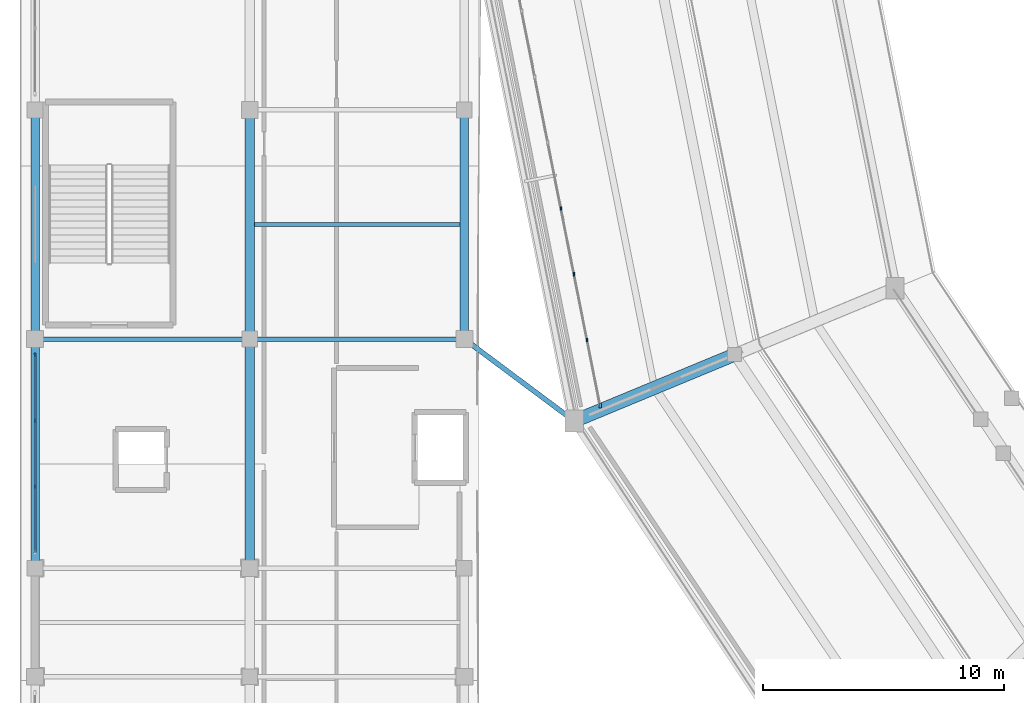
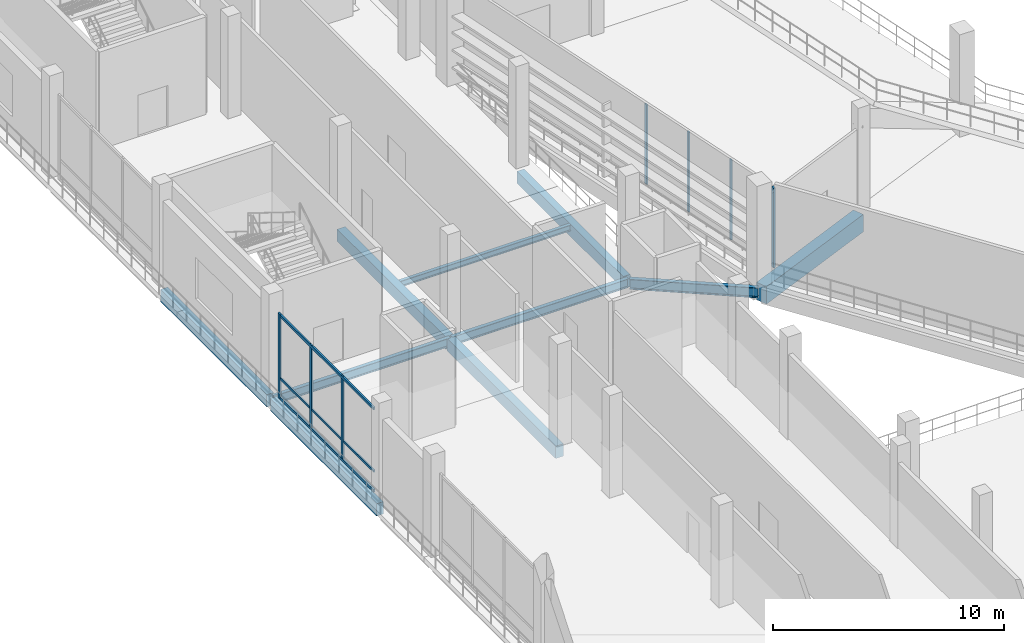
# One storey, part 18 of 127: 10 beams, 10 members, 2 elements without a shape of their own.
"""IFC4 building model written with IfcOpenShell, lengths in metres."""

from ifc_helpers import new_model, si_unit, direction, frame, origin, origin_2d, place, context, subcontext, project, spatial, rectangle, i_section, extrude, material, material_profile, profile_set, type_object, element, aggregate, save


model = new_model("IFC4")

# Units and contexts
model_context = context("Model", 3, precision=1e-05, world=origin(), true_north=direction((0.0, 1.0)))
body_context = subcontext(model_context, "Body", "Model", "MODEL_VIEW")
ifc_project = project(units=[si_unit("LENGTHUNIT", "METRE"), si_unit("AREAUNIT", "SQUARE_METRE"), si_unit("VOLUMEUNIT", "CUBIC_METRE"), si_unit("PLANEANGLEUNIT", "RADIAN"), si_unit("MASSUNIT", "GRAM", prefix="KILO")], contexts=[model_context])

# Site, building, storey
site_placement = place(None, origin())
site = spatial("IfcSite", under=ifc_project, at=site_placement, CompositionType="ELEMENT")
building_placement = place(site_placement, origin())
building = spatial("IfcBuilding", under=site, at=building_placement, Name="Candeia Ridge Stadium", CompositionType="ELEMENT")
storey_placement = place(building_placement, frame((0.0, 0.0, 10.800048828125)))
storey = spatial("IfcBuildingStorey", under=building, at=storey_placement, Name="L02", CompositionType="ELEMENT", Elevation=10.800048828125)

# Curtain wall, member
ifc_material_1 = material(Name="Aluminium Anodized Warm Bronze", Category="aluminium")
curtain_wall_type_1 = type_object("IfcCurtainWallType", Name="Concourse Recessed Unitised Curtain Wall", PredefinedType="NOTDEFINED", material=ifc_material_1)
curtain_wall_1_placement = place(storey_placement, origin())
curtain_wall_1 = element("IfcCurtainWall", 1, at=curtain_wall_1_placement, inside=storey, type_object=curtain_wall_type_1, Name="Unitised curtain wall CW-BWL-L02-14", PredefinedType="NOTDEFINED")
ifc_material_profile_1 = material_profile(ifc_material_1, rectangle(XDim=0.090087890625, YDim=0.179931640625, at=origin_2d()), Name="CWM-90x180", Category="aluminium")
ifc_profile_set_1 = profile_set([ifc_material_profile_1], Name="Aluminium Anodized Warm Bronze")
member_type_1 = type_object("IfcMemberType", Name="Curtain Wall Primary Mullion 90x180", PredefinedType="MULLION", material=ifc_profile_set_1)
member_1_placement = place(storey_placement, frame((24.03173828125, 51.736083984375, 0.0), z_axis=(0.0, 0.0, 1.0), x_axis=(1.0, 0.0, 0.0)))
member_1 = element("IfcMember", 2, at=member_1_placement, type_object=member_type_1, Name="Curtain wall mullion CW-BWL-L02-14-M7", PredefinedType="MULLION", context=body_context, shape_type="SweptSolid", body=[
    extrude(rectangle(XDim=0.090087890625, YDim=0.179931640625, at=origin_2d()), origin(), (0.0, 0.0, 1.0), 4.21484375),
])

curtain_wall_type_2 = type_object("IfcCurtainWallType", Name="Cardinal Entrance Gate Tall Glazed Curtain Wall", PredefinedType="NOTDEFINED", material=ifc_material_1)
curtain_wall_2_placement = place(storey_placement, origin())
curtain_wall_2 = element("IfcCurtainWall", 3, at=curtain_wall_2_placement, inside=storey, type_object=curtain_wall_type_2, Name="Unitised curtain wall CW-WNG-L02-082", PredefinedType="NOTDEFINED")
member_2_placement = place(storey_placement, frame((0.60009765625, 53.840087890625, 0.0), z_axis=(0.0, 0.0, 1.0), x_axis=(1.0, 0.0, 0.0)))
member_2 = element("IfcMember", 4, at=member_2_placement, type_object=member_type_1, Name="Curtain wall mullion CW-WNG-L02-082-M3", PredefinedType="MULLION", context=body_context, shape_type="SweptSolid", body=[
    extrude(rectangle(XDim=0.090087890625, YDim=0.179931640625, at=origin_2d()), origin(), (0.0, 0.0, 1.0), 4.48486328125),
])

# Member
ifc_material_profile_2 = material_profile(ifc_material_1, rectangle(XDim=0.074951171875, YDim=0.14990234375, at=origin_2d()), Name="CWM-75x150", Category="aluminium")
ifc_profile_set_2 = profile_set([ifc_material_profile_2], Name="Aluminium Anodized Warm Bronze")
member_type_2 = type_object("IfcMemberType", Name="Curtain Wall Secondary Mullion 75x150", PredefinedType="MULLION", material=ifc_profile_set_2)
member_3_placement = place(storey_placement, frame((22.404541015625, 59.91650390625, 0.0), z_axis=(0.0, 0.0, 1.0), x_axis=(1.0, 0.0, 0.0)))
member_3 = element("IfcMember", 5, at=member_3_placement, type_object=member_type_2, Name="Curtain wall mullion CW-BWL-L02-14-M4", PredefinedType="MULLION", context=body_context, shape_type="SweptSolid", body=[
    extrude(rectangle(XDim=0.074951171875, YDim=0.14990234375, at=origin_2d()), origin(), (0.0, 0.0, 1.0), 4.21484375),
])

member_4_placement = place(storey_placement, frame((22.947021484375, 57.189697265625, 0.0), z_axis=(0.0, 0.0, 1.0), x_axis=(1.0, 0.0, 0.0)))
member_4 = element("IfcMember", 6, at=member_4_placement, type_object=member_type_2, Name="Curtain wall mullion CW-BWL-L02-14-M5", PredefinedType="MULLION", context=body_context, shape_type="SweptSolid", body=[
    extrude(rectangle(XDim=0.074951171875, YDim=0.14990234375, at=origin_2d()), origin(), (0.0, 0.0, 1.0), 4.21484375),
])

member_5_placement = place(storey_placement, frame((23.489501953125, 54.462890625, 0.0), z_axis=(0.0, 0.0, 1.0), x_axis=(1.0, 0.0, 0.0)))
member_5 = element("IfcMember", 7, at=member_5_placement, type_object=member_type_2, Name="Curtain wall mullion CW-BWL-L02-14-M6", PredefinedType="MULLION", context=body_context, shape_type="SweptSolid", body=[
    extrude(rectangle(XDim=0.074951171875, YDim=0.14990234375, at=origin_2d()), origin(), (0.0, 0.0, 1.0), 4.21484375),
])

aggregate(curtain_wall_1, [member_3, member_4, member_5, member_1])

member_6_placement = place(storey_placement, frame((0.60009765625, 48.38671875, 0.0), z_axis=(0.0, 0.0, 1.0), x_axis=(1.0, 0.0, 0.0)))
member_6 = element("IfcMember", 8, at=member_6_placement, type_object=member_type_2, Name="Curtain wall mullion CW-WNG-L02-082-M1", PredefinedType="MULLION", context=body_context, shape_type="SweptSolid", body=[
    extrude(rectangle(XDim=0.074951171875, YDim=0.14990234375, at=origin_2d()), origin(), (0.0, 0.0, 1.0), 4.48486328125),
])

member_7_placement = place(storey_placement, frame((0.60009765625, 51.11328125, 0.0), z_axis=(0.0, 0.0, 1.0), x_axis=(1.0, 0.0, 0.0)))
member_7 = element("IfcMember", 9, at=member_7_placement, type_object=member_type_2, Name="Curtain wall mullion CW-WNG-L02-082-M2", PredefinedType="MULLION", context=body_context, shape_type="SweptSolid", body=[
    extrude(rectangle(XDim=0.074951171875, YDim=0.14990234375, at=origin_2d()), origin(), (0.0, 0.0, 1.0), 4.48486328125),
])

ifc_material_profile_3 = material_profile(ifc_material_1, rectangle(XDim=0.074951171875, YDim=0.110107421875, at=origin_2d()), Name="CWT-75x110", Category="aluminium")
ifc_profile_set_3 = profile_set([ifc_material_profile_3], Name="Aluminium Anodized Warm Bronze")
member_type_3 = type_object("IfcMemberType", Name="Curtain Wall Secondary Transom 75x110", PredefinedType="USERDEFINED", material=ifc_profile_set_3)
member_8_placement = place(storey_placement, frame((0.60009765625, 45.659912109375, 1.099853515625), z_axis=(0.0, 1.0, 0.0), x_axis=(-1.0, 0.0, 0.0)))
member_8 = element("IfcMember", 10, at=member_8_placement, type_object=member_type_3, Name="Curtain wall transom CW-WNG-L02-082-T1", ObjectType="TRANSOM", PredefinedType="USERDEFINED", context=body_context, shape_type="SweptSolid", body=[
    extrude(rectangle(XDim=0.074951171875, YDim=0.110107421875, at=origin_2d()), origin(), (0.0, 0.0, 1.0), 8.18017578125),
])

ifc_material_profile_4 = material_profile(ifc_material_1, rectangle(XDim=0.090087890625, YDim=0.139892578125, at=origin_2d()), Name="CWT-90x140", Category="aluminium")
ifc_profile_set_4 = profile_set([ifc_material_profile_4], Name="Aluminium Anodized Warm Bronze")
member_type_4 = type_object("IfcMemberType", Name="Curtain Wall Transom 90x140", PredefinedType="USERDEFINED", material=ifc_profile_set_4)
member_9_placement = place(storey_placement, frame((0.60009765625, 45.659912109375, 0.070068359375), z_axis=(0.0, 1.0, 0.0), x_axis=(-1.0, 0.0, 0.0)))
member_9 = element("IfcMember", 11, at=member_9_placement, type_object=member_type_4, Name="Curtain wall transom CW-WNG-L02-082-T0", ObjectType="TRANSOM", PredefinedType="USERDEFINED", context=body_context, shape_type="SweptSolid", body=[
    extrude(rectangle(XDim=0.090087890625, YDim=0.139892578125, at=origin_2d()), origin(), (0.0, 0.0, 1.0), 8.18017578125),
])

member_10_placement = place(storey_placement, frame((0.60009765625, 45.659912109375, 4.4150390625), z_axis=(0.0, 1.0, 0.0), x_axis=(-1.0, 0.0, 0.0)))
member_10 = element("IfcMember", 12, at=member_10_placement, type_object=member_type_4, Name="Curtain wall transom CW-WNG-L02-082-T2", ObjectType="TRANSOM", PredefinedType="USERDEFINED", context=body_context, shape_type="SweptSolid", body=[
    extrude(rectangle(XDim=0.090087890625, YDim=0.139892578125, at=origin_2d()), origin(), (0.0, 0.0, 1.0), 8.18017578125),
])

aggregate(curtain_wall_2, [member_6, member_7, member_2, member_9, member_8, member_10])

# Beams
ifc_material_2 = material(Name="Concrete C45/55", Category="concrete")
ifc_material_profile_5 = material_profile(ifc_material_2, rectangle(XDim=0.550048828125, YDim=0.919921875, at=origin_2d()), Name="RC550x920", Category="concrete")
ifc_profile_set_5 = profile_set([ifc_material_profile_5], Name="Concrete C45/55")
beam_type_1 = type_object("IfcBeamType", Name="Frame Girder RC550x920", PredefinedType="BEAM", material=ifc_profile_set_5)
beam_1_placement = place(storey_placement, frame((29.46240234375, 53.79443359375, -0.719970703125), z_axis=(-0.923880161031, -0.382681914982, 0.0), x_axis=(0.382681914982, -0.923880161031, 0.0)))
element("IfcBeam", 13, at=beam_1_placement, inside=storey, type_object=beam_type_1, Name="Bowl radial girder BM-L02-0272", PredefinedType="BEAM", context=body_context, shape_type="SweptSolid", body=[
    extrude(rectangle(XDim=0.550048828125, YDim=0.919921875, at=origin_2d()), origin(), (0.0, 0.0, 1.0), 6.8798828125),
])
ifc_material_3 = material(Name="Steel ASTM A572 Grade 50", Category="steel")
ifc_material_profile_6 = material_profile(ifc_material_3, i_section(OverallWidth=0.208984375, OverallDepth=0.532958984375, WebThickness=0.01025390625, FlangeThickness=0.015625, FilletRadius=0.013916015625, at=origin_2d()), Name="W530x92", Category="steel")
ifc_profile_set_6 = profile_set([ifc_material_profile_6], Name="Steel ASTM A572 Grade 50")
beam_type_2 = type_object("IfcBeamType", Name="Gate Portal Girder W530x92", PredefinedType="BEAM", material=ifc_profile_set_6)
beam_2_placement = place(storey_placement, frame((18.440185546875, 54.47021484375, -0.556640625), z_axis=(0.801601915682, -0.597858151048, 0.0), x_axis=(0.597858151048, 0.801601915682, 0.0)))
element("IfcBeam", 14, at=beam_2_placement, inside=storey, type_object=beam_type_2, Name="Wing-to-bowl tie girder BM-L02-2549", PredefinedType="BEAM", context=body_context, shape_type="SweptSolid", body=[
    extrude(i_section(OverallWidth=0.208984375, OverallDepth=0.532958984375, WebThickness=0.01025390625, FlangeThickness=0.015625, FilletRadius=0.013916015625, at=origin_2d()), origin(), (0.0, 0.0, 1.0), 5.58642578125),
])
ifc_material_profile_7 = material_profile(ifc_material_3, i_section(OverallWidth=0.1669921875, OverallDepth=0.31689453125, WebThickness=0.007568359375, FlangeThickness=0.01318359375, FilletRadius=0.011962890625, at=origin_2d()), Name="W310x52", Category="steel")
ifc_profile_set_7 = profile_set([ifc_material_profile_7], Name="Steel ASTM A572 Grade 50")
beam_type_3 = type_object("IfcBeamType", Name="Pavilion Secondary Joist W310x52", PredefinedType="JOIST", material=ifc_profile_set_7)
beam_3_placement = place(storey_placement, frame((9.699462890625, 59.25, -0.41845703125), z_axis=(1.0, 0.0, 0.0), x_axis=(0.0, 1.0, 0.0)))
element("IfcBeam", 15, at=beam_3_placement, inside=storey, type_object=beam_type_3, Name="Wing secondary joist BM-L02-1177", PredefinedType="JOIST", context=body_context, shape_type="SweptSolid", body=[
    extrude(i_section(OverallWidth=0.1669921875, OverallDepth=0.31689453125, WebThickness=0.007568359375, FlangeThickness=0.01318359375, FilletRadius=0.011962890625, at=origin_2d()), origin(), (0.0, 0.0, 1.0), 8.526123046875),
])
ifc_material_profile_8 = material_profile(ifc_material_3, i_section(OverallWidth=0.18994140625, OverallDepth=0.45703125, WebThickness=0.009033203125, FlangeThickness=0.014404296875, FilletRadius=0.012939453125, at=origin_2d()), Name="W460x74", Category="steel")
ifc_profile_set_8 = profile_set([ifc_material_profile_8], Name="Steel ASTM A572 Grade 50")
beam_type_4 = type_object("IfcBeamType", Name="Pavilion Steel Girder W460x74", PredefinedType="BEAM", material=ifc_profile_set_8)
for number, where, z_axis, x_axis, name in (
    (16, (0.64990234375, 54.5, -0.488525390625), (1.0, 0.0, 0.0), (0.0, 1.0, 0.0), "Structural girder BM-L02-1158"),
    (17, (9.550048828125, 54.5, -0.488525390625), (1.0, 0.0, 0.0), (0.0, 1.0, 0.0), "Structural girder BM-L02-1176"),
):
    element("IfcBeam", number, at=place(storey_placement, frame(where, z_axis=z_axis, x_axis=x_axis)), inside=storey, type_object=beam_type_4, Name=name, PredefinedType="BEAM", context=body_context, shape_type="SweptSolid", body=[
        extrude(i_section(OverallWidth=0.18994140625, OverallDepth=0.45703125, WebThickness=0.009033203125, FlangeThickness=0.014404296875, FilletRadius=0.012939453125, at=origin_2d()), origin(), (0.0, 0.0, 1.0), 8.800048828125),
    ])
ifc_material_4 = material(Name="Concrete C40/50", Category="concrete")
ifc_material_profile_9 = material_profile(ifc_material_4, rectangle(XDim=0.35009765625, YDim=0.64990234375, at=origin_2d()), Name="RC350x650", Category="concrete")
ifc_profile_set_9 = profile_set([ifc_material_profile_9], Name="Concrete C40/50")
beam_type_5 = type_object("IfcBeamType", Name="Spandrel Beam RC350x650", PredefinedType="SPANDREL", material=ifc_profile_set_9)
for number, where, z_axis, x_axis, name in (
    (18, (0.60009765625, 45.159912109375, -0.5849609375), (0.0, 1.0, 0.0), (-1.0, 0.0, 0.0), "Structural girder BM-L02-1116"),
    (19, (0.60009765625, 54.659912109375, -0.5849609375), (0.0, 1.0, 0.0), (-1.0, 0.0, 0.0), "Structural girder BM-L02-1117"),
    (20, (18.39990234375, 54.659912109375, -0.5849609375), (0.0, 1.0, 0.0), (-1.0, 0.0, 0.0), "Structural girder BM-L02-1142"),
):
    element("IfcBeam", number, at=place(storey_placement, frame(where, z_axis=z_axis, x_axis=x_axis)), inside=storey, type_object=beam_type_5, Name=name, PredefinedType="SPANDREL", context=body_context, shape_type="SweptSolid", body=[
        extrude(rectangle(XDim=0.35009765625, YDim=0.64990234375, at=origin_2d()), origin(), (0.0, 0.0, 1.0), 9.18017578125),
    ])
ifc_material_profile_10 = material_profile(ifc_material_4, rectangle(XDim=0.39990234375, YDim=0.64990234375, at=origin_2d()), Name="RC400x650", Category="concrete")
ifc_profile_set_10 = profile_set([ifc_material_profile_10], Name="Concrete C40/50")
beam_type_6 = type_object("IfcBeamType", Name="Wing Primary Girder RC400x650", PredefinedType="BEAM", material=ifc_profile_set_10)
for number, where, z_axis, x_axis, name in (
    (21, (9.5, 45.050048828125, -0.5849609375), (0.0, 1.0, 0.0), (-1.0, 0.0, 0.0), "Structural girder BM-L02-1130"),
    (22, (9.5, 54.550048828125, -0.5849609375), (0.0, 1.0, 0.0), (-1.0, 0.0, 0.0), "Structural girder BM-L02-1131"),
):
    element("IfcBeam", number, at=place(storey_placement, frame(where, z_axis=z_axis, x_axis=x_axis)), inside=storey, type_object=beam_type_6, Name=name, PredefinedType="BEAM", context=body_context, shape_type="SweptSolid", body=[
        extrude(rectangle(XDim=0.39990234375, YDim=0.64990234375, at=origin_2d()), origin(), (0.0, 0.0, 1.0), 9.39990234375),
    ])

save(model, "model.ifc")
